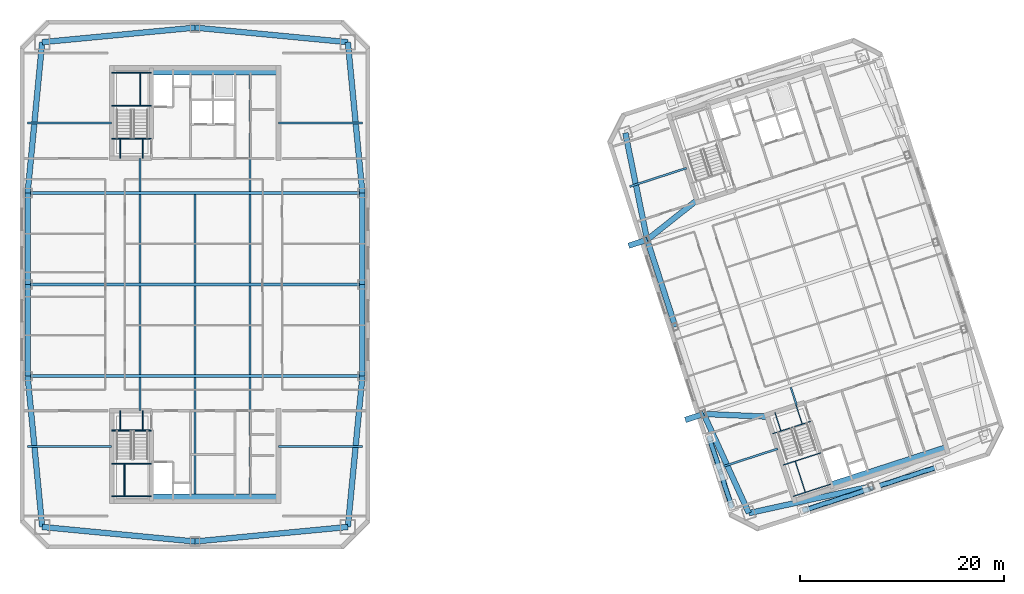
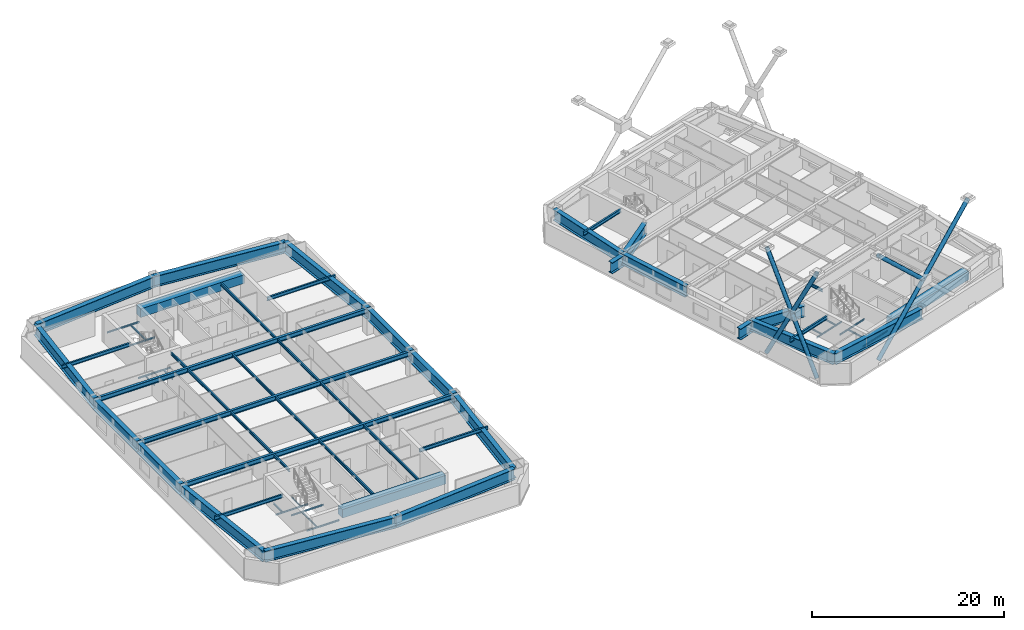
# One storey, part 3 of 15: 62 beams, 7 members.
"""IFC4 building model written with IfcOpenShell, lengths in metres."""

from ifc_helpers import new_model, si_unit, direction, frame, origin, origin_2d, place, context, subcontext, project, spatial, rectangle, hollow_circle, i_section, extrude, material, material_profile, profile_set, type_object, element, save


model = new_model("IFC4")

# Units and contexts
model_context = context("Model", 3, precision=1e-05, world=origin(), true_north=direction((0.0, 1.0)))
body_context = subcontext(model_context, "Body", "Model", "MODEL_VIEW")
ifc_project = project(units=[si_unit("LENGTHUNIT", "METRE"), si_unit("AREAUNIT", "SQUARE_METRE"), si_unit("VOLUMEUNIT", "CUBIC_METRE"), si_unit("PLANEANGLEUNIT", "RADIAN"), si_unit("MASSUNIT", "GRAM", prefix="KILO")], contexts=[model_context])

# Site, building, storey
site_placement = place(None, origin())
site = spatial("IfcSite", under=ifc_project, at=site_placement, CompositionType="ELEMENT")
building_placement = place(site_placement, origin())
building = spatial("IfcBuilding", under=site, at=building_placement, Name="Qiaolan Cultural Towers", CompositionType="ELEMENT")
storey_placement = place(building_placement, frame((0.0, 0.0, 212.75)))
storey = spatial("IfcBuildingStorey", under=building, at=storey_placement, Name="L57", CompositionType="ELEMENT", Elevation=212.75)

# Beams
ifc_material_1 = material(Name="Steel Q420GJB", Category="steel")
ifc_material_profile_1 = material_profile(ifc_material_1, i_section(OverallWidth=0.550048828125, OverallDepth=1.39990234375, WebThickness=0.031982421875, FlangeThickness=0.050048828125, at=origin_2d()), Name="BH1400x550x32x50")
ifc_profile_set_1 = profile_set([ifc_material_profile_1], Name="Steel Q420GJB")
beam_type_1 = type_object("IfcBeamType", Name="BM-BH1400x550x32x50", PredefinedType="BEAM", material=ifc_profile_set_1)
for number, where, z_axis, x_axis, name in (
    (1, (14.97998046875, 10.179931640625, 2.469970703125), (0.995498889995, -0.094773203061, 0.0), (0.094773203061, 0.995498889995, 0.0), "L57 T1 Perimeter Spandrel Beam 1"),
    (2, (30.0, 8.75, 2.469970703125), (0.995498889995, 0.094773203061, 0.0), (-0.094773203061, 0.995498889995, 0.0), "L57 T1 Perimeter Spandrel Beam 2"),
):
    element("IfcBeam", number, at=place(storey_placement, frame(where, z_axis=z_axis, x_axis=x_axis)), inside=storey, type_object=beam_type_1, Name=name, PredefinedType="BEAM", context=body_context, shape_type="SweptSolid", body=[
        extrude(i_section(OverallWidth=0.550048828125, OverallDepth=1.39990234375, WebThickness=0.031982421875, FlangeThickness=0.050048828125, at=origin_2d()), origin(), (0.0, 0.0, 1.0), 15.087890625),
    ])
beam_1_placement = place(storey_placement, frame((45.02001953125, 10.179931640625, 2.469970703125), z_axis=(0.096040159186, 0.995377459974, 0.0), x_axis=(-0.995377459974, 0.096040159186, 0.0)))
element("IfcBeam", 3, at=beam_1_placement, inside=storey, type_object=beam_type_1, Name="L57 T1 Perimeter Spandrel Beam 3", PredefinedType="BEAM", context=body_context, shape_type="SweptSolid", body=[
    extrude(i_section(OverallWidth=0.550048828125, OverallDepth=1.39990234375, WebThickness=0.031982421875, FlangeThickness=0.050048828125, at=origin_2d()), origin(), (0.0, 0.0, 1.0), 14.888916015625),
])
for number, where, z_axis, x_axis, name in (
    (4, (46.449951171875, 25.0, 2.469970703125), (0.0, 1.0, 0.0), (-1.0, 0.0, 0.0), "L57 T1 Perimeter Spandrel Beam 4"),
    (5, (46.449951171875, 34.0, 2.469970703125), (0.0, 1.0, 0.0), (-1.0, 0.0, 0.0), "L57 T1 Perimeter Spandrel Beam 5"),
):
    element("IfcBeam", number, at=place(storey_placement, frame(where, z_axis=z_axis, x_axis=x_axis)), inside=storey, type_object=beam_type_1, Name=name, PredefinedType="BEAM", context=body_context, shape_type="SweptSolid", body=[
        extrude(i_section(OverallWidth=0.550048828125, OverallDepth=1.39990234375, WebThickness=0.031982421875, FlangeThickness=0.050048828125, at=origin_2d()), origin(), (0.0, 0.0, 1.0), 9.0),
    ])
beam_2_placement = place(storey_placement, frame((46.449951171875, 43.0, 2.469970703125), z_axis=(-0.096040159186, 0.995377459974, 0.0), x_axis=(-0.995377459974, -0.096040159186, 0.0)))
element("IfcBeam", 6, at=beam_2_placement, inside=storey, type_object=beam_type_1, Name="L57 T1 Perimeter Spandrel Beam 6", PredefinedType="BEAM", context=body_context, shape_type="SweptSolid", body=[
    extrude(i_section(OverallWidth=0.550048828125, OverallDepth=1.39990234375, WebThickness=0.031982421875, FlangeThickness=0.050048828125, at=origin_2d()), origin(), (0.0, 0.0, 1.0), 14.888916015625),
])
for number, where, z_axis, x_axis, name in (
    (7, (45.02001953125, 57.820068359375, 2.469970703125), (-0.995498889995, 0.094773203061, 0.0), (-0.094773203061, -0.995498889995, 0.0), "L57 T1 Perimeter Spandrel Beam 7"),
    (8, (30.0, 59.25, 2.469970703125), (-0.995498889995, -0.094773203061, 0.0), (0.094773203061, -0.995498889995, 0.0), "L57 T1 Perimeter Spandrel Beam 8"),
):
    element("IfcBeam", number, at=place(storey_placement, frame(where, z_axis=z_axis, x_axis=x_axis)), inside=storey, type_object=beam_type_1, Name=name, PredefinedType="BEAM", context=body_context, shape_type="SweptSolid", body=[
        extrude(i_section(OverallWidth=0.550048828125, OverallDepth=1.39990234375, WebThickness=0.031982421875, FlangeThickness=0.050048828125, at=origin_2d()), origin(), (0.0, 0.0, 1.0), 15.087890625),
    ])
beam_3_placement = place(storey_placement, frame((14.97998046875, 57.820068359375, 2.469970703125), z_axis=(-0.096040159186, -0.995377459974, 0.0), x_axis=(0.995377459974, -0.096040159186, 0.0)))
element("IfcBeam", 9, at=beam_3_placement, inside=storey, type_object=beam_type_1, Name="L57 T1 Perimeter Spandrel Beam 9", PredefinedType="BEAM", context=body_context, shape_type="SweptSolid", body=[
    extrude(i_section(OverallWidth=0.550048828125, OverallDepth=1.39990234375, WebThickness=0.031982421875, FlangeThickness=0.050048828125, at=origin_2d()), origin(), (0.0, 0.0, 1.0), 14.888916015625),
])
for number, where, z_axis, x_axis, name in (
    (10, (13.550048828125, 43.0, 2.469970703125), (0.0, -1.0, 0.0), (1.0, 0.0, 0.0), "L57 T1 Perimeter Spandrel Beam 10"),
    (11, (13.550048828125, 34.0, 2.469970703125), (0.0, -1.0, 0.0), (1.0, 0.0, 0.0), "L57 T1 Perimeter Spandrel Beam 11"),
):
    element("IfcBeam", number, at=place(storey_placement, frame(where, z_axis=z_axis, x_axis=x_axis)), inside=storey, type_object=beam_type_1, Name=name, PredefinedType="BEAM", context=body_context, shape_type="SweptSolid", body=[
        extrude(i_section(OverallWidth=0.550048828125, OverallDepth=1.39990234375, WebThickness=0.031982421875, FlangeThickness=0.050048828125, at=origin_2d()), origin(), (0.0, 0.0, 1.0), 9.0),
    ])
beam_4_placement = place(storey_placement, frame((13.550048828125, 25.0, 2.469970703125), z_axis=(0.096040159186, -0.995377459974, 0.0), x_axis=(0.995377459974, 0.096040159186, 0.0)))
element("IfcBeam", 12, at=beam_4_placement, inside=storey, type_object=beam_type_1, Name="L57 T1 Perimeter Spandrel Beam 12", PredefinedType="BEAM", context=body_context, shape_type="SweptSolid", body=[
    extrude(i_section(OverallWidth=0.550048828125, OverallDepth=1.39990234375, WebThickness=0.031982421875, FlangeThickness=0.050048828125, at=origin_2d()), origin(), (0.0, 0.0, 1.0), 14.888916015625),
])
beam_5_placement = place(storey_placement, frame((84.42822265625, 11.538818359375, 2.469970703125), z_axis=(0.976843395078, 0.213955559619, 0.0), x_axis=(-0.213955559619, 0.976843395078, 0.0)))
element("IfcBeam", 13, at=beam_5_placement, inside=storey, type_object=beam_type_1, Name="L57 T2 Perimeter Spandrel Beam 1", PredefinedType="BEAM", context=body_context, shape_type="SweptSolid", body=[
    extrude(i_section(OverallWidth=0.550048828125, OverallDepth=1.39990234375, WebThickness=0.031982421875, FlangeThickness=0.050048828125, at=origin_2d()), origin(), (0.0, 0.0, 1.0), 12.2998046875),
])
beam_6_placement = place(storey_placement, frame((72.2900390625, 48.896484375, 2.469970703125), z_axis=(0.199578538116, -0.979881833245, 0.0), x_axis=(0.979881833245, 0.199578538116, 0.0)))
element("IfcBeam", 14, at=beam_6_placement, inside=storey, type_object=beam_type_1, Name="L57 T2 Perimeter Spandrel Beam 9", PredefinedType="BEAM", context=body_context, shape_type="SweptSolid", body=[
    extrude(i_section(OverallWidth=0.550048828125, OverallDepth=1.39990234375, WebThickness=0.031982421875, FlangeThickness=0.050048828125, at=origin_2d()), origin(), (0.0, 0.0, 1.0), 10.70849609375),
])
beam_7_placement = place(storey_placement, frame((74.42724609375, 38.4033203125, 2.469970703125), z_axis=(0.309000197986, -0.951061973609, 0.0), x_axis=(0.951061973609, 0.309000197986, 0.0)))
element("IfcBeam", 15, at=beam_7_placement, inside=storey, type_object=beam_type_1, Name="L57 T2 Perimeter Spandrel Beam 10", PredefinedType="BEAM", context=body_context, shape_type="SweptSolid", body=[
    extrude(i_section(OverallWidth=0.550048828125, OverallDepth=1.39990234375, WebThickness=0.031982421875, FlangeThickness=0.050048828125, at=origin_2d()), origin(), (0.0, 0.0, 1.0), 9.0),
])
beam_8_placement = place(storey_placement, frame((79.989501953125, 21.2841796875, 2.469970703125), z_axis=(0.414500208282, -0.910049216985, 0.0), x_axis=(0.910049216985, 0.414500208282, 0.0)))
element("IfcBeam", 16, at=beam_8_placement, inside=storey, type_object=beam_type_1, Name="L57 T2 Perimeter Spandrel Beam 12", PredefinedType="BEAM", context=body_context, shape_type="SweptSolid", body=[
    extrude(i_section(OverallWidth=0.550048828125, OverallDepth=1.39990234375, WebThickness=0.031982421875, FlangeThickness=0.050048828125, at=origin_2d()), origin(), (0.0, 0.0, 1.0), 10.70849609375),
])
beam_9_placement = place(storey_placement, frame((86.280517578125, 21.01513671875, 2.219970703125), z_axis=(-0.99908677763, 0.0427271666, 0.0), x_axis=(-0.0427271666, -0.99908677763, 0.0)))
element("IfcBeam", 17, at=beam_9_placement, inside=storey, type_object=beam_type_1, Name="L57 East Tower Sky Park Corbel Back-Span S", PredefinedType="BEAM", context=body_context, shape_type="SweptSolid", body=[
    extrude(i_section(OverallWidth=0.550048828125, OverallDepth=1.39990234375, WebThickness=0.031982421875, FlangeThickness=0.050048828125, at=origin_2d()), origin(), (0.0, 0.0, 1.0), 6.296875),
])
beam_10_placement = place(storey_placement, frame((79.989501953125, 21.2841796875, 2.219970703125), z_axis=(-0.951058615481, -0.309010533671, 0.0), x_axis=(0.309010533671, -0.951058615481, 0.0)))
element("IfcBeam", 18, at=beam_10_placement, inside=storey, type_object=beam_type_1, Name="L57 East Tower Sky Park Bridge Seat Corbel S (1900 mm Seat)", PredefinedType="BEAM", context=body_context, shape_type="SweptSolid", body=[
    extrude(i_section(OverallWidth=0.550048828125, OverallDepth=1.39990234375, WebThickness=0.031982421875, FlangeThickness=0.050048828125, at=origin_2d()), origin(), (0.0, 0.0, 1.0), 1.900146484375),
])
beam_11_placement = place(storey_placement, frame((79.358642578125, 42.31884765625, 2.219970703125), z_axis=(-0.783155829209, -0.62182549576, 0.0), x_axis=(0.62182549576, -0.783155829209, 0.0)))
element("IfcBeam", 19, at=beam_11_placement, inside=storey, type_object=beam_type_1, Name="L57 East Tower Sky Park Corbel Back-Span N", PredefinedType="BEAM", context=body_context, shape_type="SweptSolid", body=[
    extrude(i_section(OverallWidth=0.550048828125, OverallDepth=1.39990234375, WebThickness=0.031982421875, FlangeThickness=0.050048828125, at=origin_2d()), origin(), (0.0, 0.0, 1.0), 6.296875),
])
beam_12_placement = place(storey_placement, frame((74.42724609375, 38.4033203125, 2.219970703125), z_axis=(-0.951058615481, -0.309010533671, 0.0), x_axis=(0.309010533671, -0.951058615481, 0.0)))
element("IfcBeam", 20, at=beam_12_placement, inside=storey, type_object=beam_type_1, Name="L57 East Tower Sky Park Bridge Seat Corbel N (1900 mm Seat)", PredefinedType="BEAM", context=body_context, shape_type="SweptSolid", body=[
    extrude(i_section(OverallWidth=0.550048828125, OverallDepth=1.39990234375, WebThickness=0.031982421875, FlangeThickness=0.050048828125, at=origin_2d()), origin(), (0.0, 0.0, 1.0), 1.900146484375),
])
ifc_material_2 = material(Name="Steel Q355B", Category="steel")
ifc_material_profile_2 = material_profile(ifc_material_2, i_section(OverallWidth=0.300048828125, OverallDepth=0.587890625, WebThickness=0.011962890625, FlangeThickness=0.02001953125, at=origin_2d()), Name="HM588x300x12x20")
ifc_profile_set_2 = profile_set([ifc_material_profile_2], Name="Steel Q355B")
beam_type_2 = type_object("IfcBeamType", Name="BM-HM588x300x12x20", PredefinedType="BEAM", material=ifc_profile_set_2)
for number, where, z_axis, x_axis, name in (
    (21, (13.550048828125, 25.0, 2.8759765625), (1.0, 0.0, 0.0), (0.0, 1.0, 0.0), "L57 T1 Primary Transverse Girder V1"),
    (22, (13.550048828125, 34.0, 2.8759765625), (1.0, 0.0, 0.0), (0.0, 1.0, 0.0), "L57 T1 Primary Transverse Girder V2"),
    (23, (13.550048828125, 43.0, 2.8759765625), (1.0, 0.0, 0.0), (0.0, 1.0, 0.0), "L57 T1 Primary Transverse Girder V3"),
):
    element("IfcBeam", number, at=place(storey_placement, frame(where, z_axis=z_axis, x_axis=x_axis)), inside=storey, type_object=beam_type_2, Name=name, PredefinedType="BEAM", context=body_context, shape_type="SweptSolid", body=[
        extrude(i_section(OverallWidth=0.300048828125, OverallDepth=0.587890625, WebThickness=0.011962890625, FlangeThickness=0.02001953125, at=origin_2d()), origin(), (0.0, 0.0, 1.0), 32.89990234375),
    ])
ifc_material_3 = material(Name="Steel Q355B", Category="steel")
ifc_material_profile_3 = material_profile(ifc_material_3, i_section(OverallWidth=0.175048828125, OverallDepth=0.35009765625, WebThickness=0.007080078125, FlangeThickness=0.010986328125, at=origin_2d()), Name="HN350x175x7x11")
ifc_profile_set_3 = profile_set([ifc_material_profile_3], Name="Steel Q355B")
beam_type_3 = type_object("IfcBeamType", Name="BM-JST-HN350x175x7x11", PredefinedType="JOIST", material=ifc_profile_set_3)
beam_13_placement = place(storey_placement, frame((24.60009765625, 21.60009765625, 2.9951171875), z_axis=(0.0, 1.0, 0.0), x_axis=(-1.0, 0.0, 0.0)))
element("IfcBeam", 24, at=beam_13_placement, inside=storey, type_object=beam_type_3, Name="L57 T1 Secondary Floor Joist U1-1", PredefinedType="JOIST", context=body_context, shape_type="SweptSolid", body=[
    extrude(i_section(OverallWidth=0.175048828125, OverallDepth=0.35009765625, WebThickness=0.007080078125, FlangeThickness=0.010986328125, at=origin_2d()), origin(), (0.0, 0.0, 1.0), 3.25),
])
for number, where, z_axis, x_axis, name in (
    (25, (24.60009765625, 25.14990234375, 2.9951171875), (0.0, 1.0, 0.0), (-1.0, 0.0, 0.0), "L57 T1 Secondary Floor Joist U1-2"),
    (26, (24.60009765625, 34.14990234375, 2.9951171875), (0.0, 1.0, 0.0), (-1.0, 0.0, 0.0), "L57 T1 Secondary Floor Joist U1-3"),
):
    element("IfcBeam", number, at=place(storey_placement, frame(where, z_axis=z_axis, x_axis=x_axis)), inside=storey, type_object=beam_type_3, Name=name, PredefinedType="JOIST", context=body_context, shape_type="SweptSolid", body=[
        extrude(i_section(OverallWidth=0.175048828125, OverallDepth=0.35009765625, WebThickness=0.007080078125, FlangeThickness=0.010986328125, at=origin_2d()), origin(), (0.0, 0.0, 1.0), 8.7001953125),
    ])
beam_14_placement = place(storey_placement, frame((24.60009765625, 43.14990234375, 2.9951171875), z_axis=(0.0, 1.0, 0.0), x_axis=(-1.0, 0.0, 0.0)))
element("IfcBeam", 27, at=beam_14_placement, inside=storey, type_object=beam_type_3, Name="L57 T1 Secondary Floor Joist U1-4", PredefinedType="JOIST", context=body_context, shape_type="SweptSolid", body=[
    extrude(i_section(OverallWidth=0.175048828125, OverallDepth=0.35009765625, WebThickness=0.007080078125, FlangeThickness=0.010986328125, at=origin_2d()), origin(), (0.0, 0.0, 1.0), 3.25),
])
beam_15_placement = place(storey_placement, frame((30.0, 13.39990234375, 2.9951171875), z_axis=(0.0, 1.0, 0.0), x_axis=(-1.0, 0.0, 0.0)))
element("IfcBeam", 28, at=beam_15_placement, inside=storey, type_object=beam_type_3, Name="L57 T1 Secondary Floor Joist U2-1", PredefinedType="JOIST", context=body_context, shape_type="SweptSolid", body=[
    extrude(i_section(OverallWidth=0.175048828125, OverallDepth=0.35009765625, WebThickness=0.007080078125, FlangeThickness=0.010986328125, at=origin_2d()), origin(), (0.0, 0.0, 1.0), 11.4501953125),
])
for number, where, z_axis, x_axis, name in (
    (29, (30.0, 25.14990234375, 2.9951171875), (0.0, 1.0, 0.0), (-1.0, 0.0, 0.0), "L57 T1 Secondary Floor Joist U2-2"),
    (30, (30.0, 34.14990234375, 2.9951171875), (0.0, 1.0, 0.0), (-1.0, 0.0, 0.0), "L57 T1 Secondary Floor Joist U2-3"),
):
    element("IfcBeam", number, at=place(storey_placement, frame(where, z_axis=z_axis, x_axis=x_axis)), inside=storey, type_object=beam_type_3, Name=name, PredefinedType="JOIST", context=body_context, shape_type="SweptSolid", body=[
        extrude(i_section(OverallWidth=0.175048828125, OverallDepth=0.35009765625, WebThickness=0.007080078125, FlangeThickness=0.010986328125, at=origin_2d()), origin(), (0.0, 0.0, 1.0), 8.7001953125),
    ])
beam_16_placement = place(storey_placement, frame((35.39990234375, 13.39990234375, 2.9951171875), z_axis=(0.0, 1.0, 0.0), x_axis=(-1.0, 0.0, 0.0)))
element("IfcBeam", 31, at=beam_16_placement, inside=storey, type_object=beam_type_3, Name="L57 T1 Secondary Floor Joist U3-1", PredefinedType="JOIST", context=body_context, shape_type="SweptSolid", body=[
    extrude(i_section(OverallWidth=0.175048828125, OverallDepth=0.35009765625, WebThickness=0.007080078125, FlangeThickness=0.010986328125, at=origin_2d()), origin(), (0.0, 0.0, 1.0), 11.4501953125),
])
for number, where, z_axis, x_axis, name in (
    (32, (35.39990234375, 25.14990234375, 2.9951171875), (0.0, 1.0, 0.0), (-1.0, 0.0, 0.0), "L57 T1 Secondary Floor Joist U3-2"),
    (33, (35.39990234375, 34.14990234375, 2.9951171875), (0.0, 1.0, 0.0), (-1.0, 0.0, 0.0), "L57 T1 Secondary Floor Joist U3-3"),
):
    element("IfcBeam", number, at=place(storey_placement, frame(where, z_axis=z_axis, x_axis=x_axis)), inside=storey, type_object=beam_type_3, Name=name, PredefinedType="JOIST", context=body_context, shape_type="SweptSolid", body=[
        extrude(i_section(OverallWidth=0.175048828125, OverallDepth=0.35009765625, WebThickness=0.007080078125, FlangeThickness=0.010986328125, at=origin_2d()), origin(), (0.0, 0.0, 1.0), 8.7001953125),
    ])
beam_17_placement = place(storey_placement, frame((35.39990234375, 43.14990234375, 2.9951171875), z_axis=(0.0, 1.0, 0.0), x_axis=(-1.0, 0.0, 0.0)))
element("IfcBeam", 34, at=beam_17_placement, inside=storey, type_object=beam_type_3, Name="L57 T1 Secondary Floor Joist U3-4", PredefinedType="JOIST", context=body_context, shape_type="SweptSolid", body=[
    extrude(i_section(OverallWidth=0.175048828125, OverallDepth=0.35009765625, WebThickness=0.007080078125, FlangeThickness=0.010986328125, at=origin_2d()), origin(), (0.0, 0.0, 1.0), 11.4501953125),
])
beam_18_placement = place(storey_placement, frame((89.119384765625, 22.147705078125, 2.9951171875), z_axis=(-0.308933885266, 0.951083516067, 0.0), x_axis=(-0.951083516067, -0.308933885266, 0.0)))
element("IfcBeam", 35, at=beam_18_placement, inside=storey, type_object=beam_type_3, Name="L57 T2 Secondary Floor Joist U1-1", PredefinedType="JOIST", context=body_context, shape_type="SweptSolid", body=[
    extrude(i_section(OverallWidth=0.175048828125, OverallDepth=0.35009765625, WebThickness=0.007080078125, FlangeThickness=0.010986328125, at=origin_2d()), origin(), (0.0, 0.0, 1.0), 1.85009765625),
])
ifc_material_4 = material(Name="Steel Q355B", Category="steel")
ifc_material_profile_4 = material_profile(ifc_material_4, i_section(OverallWidth=0.199951171875, OverallDepth=0.449951171875, WebThickness=0.009033203125, FlangeThickness=0.013916015625, at=origin_2d()), Name="HN450x200x9x14")
ifc_profile_set_4 = profile_set([ifc_material_profile_4], Name="Steel Q355B")
beam_type_4 = type_object("IfcBeamType", Name="BM-LNT-HN450x200x9x14", PredefinedType="LINTEL", material=ifc_profile_set_4)
for number, where, z_axis, x_axis, name in (
    (36, (21.800048828125, 18.10009765625, 2.945068359375), (-1.0, 0.0, 0.0), (0.0, -1.0, 0.0), "L57 T1 Core Flank Tie Lintel WS"),
    (37, (21.800048828125, 49.89990234375, 2.945068359375), (-1.0, 0.0, 0.0), (0.0, -1.0, 0.0), "L57 T1 Core Flank Tie Lintel WN"),
    (38, (38.199951171875, 18.10009765625, 2.945068359375), (1.0, 0.0, 0.0), (0.0, 1.0, 0.0), "L57 T1 Core Flank Tie Lintel ES"),
    (39, (38.199951171875, 49.89990234375, 2.945068359375), (1.0, 0.0, 0.0), (0.0, 1.0, 0.0), "L57 T1 Core Flank Tie Lintel EN"),
):
    element("IfcBeam", number, at=place(storey_placement, frame(where, z_axis=z_axis, x_axis=x_axis)), inside=storey, type_object=beam_type_4, Name=name, PredefinedType="LINTEL", context=body_context, shape_type="SweptSolid", body=[
        extrude(i_section(OverallWidth=0.199951171875, OverallDepth=0.449951171875, WebThickness=0.009033203125, FlangeThickness=0.013916015625, at=origin_2d()), origin(), (0.0, 0.0, 1.0), 8.25),
    ])
for number, where, z_axis, x_axis, name in (
    (40, (87.252685546875, 17.861083984375, 2.945068359375), (-0.951063813276, -0.308994535675, 0.0), (0.308994535675, -0.951063813276, 0.0), "L57 T2 Core Flank Tie Lintel WS"),
    (41, (78.291259765625, 45.44189453125, 2.945068359375), (-0.951051548326, -0.309032283793, 0.0), (0.309032283793, -0.951051548326, 0.0), "L57 T2 Core Flank Tie Lintel WN"),
):
    element("IfcBeam", number, at=place(storey_placement, frame(where, z_axis=z_axis, x_axis=x_axis)), inside=storey, type_object=beam_type_4, Name=name, PredefinedType="LINTEL", context=body_context, shape_type="SweptSolid", body=[
        extrude(i_section(OverallWidth=0.199951171875, OverallDepth=0.449951171875, WebThickness=0.009033203125, FlangeThickness=0.013916015625, at=origin_2d()), origin(), (0.0, 0.0, 1.0), 5.85009765625),
    ])
ifc_material_5 = material(Name="Concrete C50", Category="concrete")
ifc_material_profile_5 = material_profile(ifc_material_5, rectangle(XDim=0.89990234375, YDim=1.10009765625, at=origin_2d()), Name="RC900x1100")
ifc_profile_set_5 = profile_set([ifc_material_profile_5], Name="Concrete C50")
beam_type_5 = type_object("IfcBeamType", Name="BM-RC900x1100", PredefinedType="BEAM", material=ifc_profile_set_5)
for number, where, z_axis, x_axis, name in (
    (42, (25.719970703125, 12.949951171875, 2.6201171875), (1.0, 0.0, 0.0), (0.0, 1.0, 0.0), "L57 T1 Core Header Girder S"),
    (43, (25.719970703125, 55.050048828125, 2.6201171875), (1.0, 0.0, 0.0), (0.0, 1.0, 0.0), "L57 T1 Core Header Girder N"),
):
    element("IfcBeam", number, at=place(storey_placement, frame(where, z_axis=z_axis, x_axis=x_axis)), inside=storey, type_object=beam_type_5, Name=name, PredefinedType="BEAM", context=body_context, shape_type="SweptSolid", body=[
        extrude(rectangle(XDim=0.89990234375, YDim=1.10009765625, at=origin_2d()), origin(), (0.0, 0.0, 1.0), 12.47998046875),
    ])
beam_19_placement = place(storey_placement, frame((92.572265625, 14.174560546875, 2.6201171875), z_axis=(0.951056266386, 0.309017763514, 0.0), x_axis=(-0.309017763514, 0.951056266386, 0.0)))
element("IfcBeam", 44, at=beam_19_placement, inside=storey, type_object=beam_type_5, Name="L57 T2 Core Header Girder S", PredefinedType="BEAM", context=body_context, shape_type="SweptSolid", body=[
    extrude(rectangle(XDim=0.89990234375, YDim=1.10009765625, at=origin_2d()), origin(), (0.0, 0.0, 1.0), 11.880126953125),
])
ifc_material_6 = material(Name="Steel Q355B", Category="steel")
ifc_material_profile_6 = material_profile(ifc_material_6, i_section(OverallWidth=0.10009765625, OverallDepth=0.199951171875, WebThickness=0.005615234375, FlangeThickness=0.008056640625, at=origin_2d()), Name="HN200x100x5.5x8")
ifc_profile_set_6 = profile_set([ifc_material_profile_6], Name="Steel Q355B")
beam_type_6 = type_object("IfcBeamType", Name="BM-STTRIM-200", PredefinedType="BEAM", material=ifc_profile_set_6)
beam_20_placement = place(storey_placement, frame((21.800048828125, 19.659912109375, -0.4599609375), z_axis=(1.0, 0.0, 0.0), x_axis=(0.0, 1.0, 0.0)))
element("IfcBeam", 45, at=beam_20_placement, inside=storey, type_object=beam_type_6, Name="L57 ST-W1 Floor Landing Header Beam", PredefinedType="BEAM", context=body_context, shape_type="SweptSolid", body=[
    extrude(i_section(OverallWidth=0.10009765625, OverallDepth=0.199951171875, WebThickness=0.005615234375, FlangeThickness=0.008056640625, at=origin_2d()), origin(), (0.0, 0.0, 1.0), 3.919921875),
])
for number, where, z_axis, x_axis, name in (
    (46, (22.64990234375, 21.60009765625, -0.4599609375), (0.0, -1.0, 0.0), (1.0, 0.0, 0.0), "L57 ST-W1 Floor Landing Stringer 1"),
    (47, (24.85009765625, 21.60009765625, -0.4599609375), (0.0, -1.0, 0.0), (1.0, 0.0, 0.0), "L57 ST-W1 Floor Landing Stringer 2"),
):
    element("IfcBeam", number, at=place(storey_placement, frame(where, z_axis=z_axis, x_axis=x_axis)), inside=storey, type_object=beam_type_6, Name=name, PredefinedType="BEAM", context=body_context, shape_type="SweptSolid", body=[
        extrude(i_section(OverallWidth=0.10009765625, OverallDepth=0.199951171875, WebThickness=0.005615234375, FlangeThickness=0.008056640625, at=origin_2d()), origin(), (0.0, 0.0, 1.0), 1.940185546875),
    ])
for number, where, z_axis, x_axis, name in (
    (48, (21.800048828125, 16.411376953125, 1.425048828125), (1.0, 0.0, 0.0), (0.0, 1.0, 0.0), "L57 ST-W1 Stair Landing Support Beam 1-1"),
    (49, (21.800048828125, 13.179931640625, 1.425048828125), (1.0, 0.0, 0.0), (0.0, 1.0, 0.0), "L57 ST-W1 Stair Landing Support Beam 1-2"),
):
    element("IfcBeam", number, at=place(storey_placement, frame(where, z_axis=z_axis, x_axis=x_axis)), inside=storey, type_object=beam_type_6, Name=name, PredefinedType="BEAM", context=body_context, shape_type="SweptSolid", body=[
        extrude(i_section(OverallWidth=0.10009765625, OverallDepth=0.199951171875, WebThickness=0.005615234375, FlangeThickness=0.008056640625, at=origin_2d()), origin(), (0.0, 0.0, 1.0), 3.919921875),
    ])
beam_21_placement = place(storey_placement, frame((23.070068359375, 16.411376953125, 1.425048828125), z_axis=(0.0, -1.0, 0.0), x_axis=(1.0, 0.0, 0.0)))
element("IfcBeam", 50, at=beam_21_placement, inside=storey, type_object=beam_type_6, Name="L57 ST-W1 Stair Landing Trimmer 1", PredefinedType="BEAM", context=body_context, shape_type="SweptSolid", body=[
    extrude(i_section(OverallWidth=0.10009765625, OverallDepth=0.199951171875, WebThickness=0.005615234375, FlangeThickness=0.008056640625, at=origin_2d()), origin(), (0.0, 0.0, 1.0), 3.2314453125),
])
beam_22_placement = place(storey_placement, frame((21.800048828125, 48.340087890625, -0.4599609375), z_axis=(1.0, 0.0, 0.0), x_axis=(0.0, 1.0, 0.0)))
element("IfcBeam", 51, at=beam_22_placement, inside=storey, type_object=beam_type_6, Name="L57 ST-W2 Floor Landing Header Beam", PredefinedType="BEAM", context=body_context, shape_type="SweptSolid", body=[
    extrude(i_section(OverallWidth=0.10009765625, OverallDepth=0.199951171875, WebThickness=0.005615234375, FlangeThickness=0.008056640625, at=origin_2d()), origin(), (0.0, 0.0, 1.0), 3.919921875),
])
for number, where, z_axis, x_axis, name in (
    (52, (22.64990234375, 46.39990234375, -0.4599609375), (0.0, 1.0, 0.0), (-1.0, 0.0, 0.0), "L57 ST-W2 Floor Landing Stringer 1"),
    (53, (24.85009765625, 46.39990234375, -0.4599609375), (0.0, 1.0, 0.0), (-1.0, 0.0, 0.0), "L57 ST-W2 Floor Landing Stringer 2"),
):
    element("IfcBeam", number, at=place(storey_placement, frame(where, z_axis=z_axis, x_axis=x_axis)), inside=storey, type_object=beam_type_6, Name=name, PredefinedType="BEAM", context=body_context, shape_type="SweptSolid", body=[
        extrude(i_section(OverallWidth=0.10009765625, OverallDepth=0.199951171875, WebThickness=0.005615234375, FlangeThickness=0.008056640625, at=origin_2d()), origin(), (0.0, 0.0, 1.0), 1.940185546875),
    ])
for number, where, z_axis, x_axis, name in (
    (54, (21.800048828125, 51.588623046875, 1.425048828125), (1.0, 0.0, 0.0), (0.0, 1.0, 0.0), "L57 ST-W2 Stair Landing Support Beam 1-1"),
    (55, (21.800048828125, 54.820068359375, 1.425048828125), (1.0, 0.0, 0.0), (0.0, 1.0, 0.0), "L57 ST-W2 Stair Landing Support Beam 1-2"),
):
    element("IfcBeam", number, at=place(storey_placement, frame(where, z_axis=z_axis, x_axis=x_axis)), inside=storey, type_object=beam_type_6, Name=name, PredefinedType="BEAM", context=body_context, shape_type="SweptSolid", body=[
        extrude(i_section(OverallWidth=0.10009765625, OverallDepth=0.199951171875, WebThickness=0.005615234375, FlangeThickness=0.008056640625, at=origin_2d()), origin(), (0.0, 0.0, 1.0), 3.919921875),
    ])
beam_23_placement = place(storey_placement, frame((24.610107421875, 51.588623046875, 1.425048828125), z_axis=(0.0, 1.0, 0.0), x_axis=(-1.0, 0.0, 0.0)))
element("IfcBeam", 56, at=beam_23_placement, inside=storey, type_object=beam_type_6, Name="L57 ST-W2 Stair Landing Trimmer 1", PredefinedType="BEAM", context=body_context, shape_type="SweptSolid", body=[
    extrude(i_section(OverallWidth=0.10009765625, OverallDepth=0.199951171875, WebThickness=0.005615234375, FlangeThickness=0.008056640625, at=origin_2d()), origin(), (0.0, 0.0, 1.0), 3.2314453125),
])
beam_24_placement = place(storey_placement, frame((86.770751953125, 19.3447265625, -0.4599609375), z_axis=(0.951047798727, 0.309043823005, 0.0), x_axis=(-0.309043823005, 0.951047798727, 0.0)))
element("IfcBeam", 57, at=beam_24_placement, inside=storey, type_object=beam_type_6, Name="L57 ST-E1 Floor Landing Header Beam", PredefinedType="BEAM", context=body_context, shape_type="SweptSolid", body=[
    extrude(i_section(OverallWidth=0.10009765625, OverallDepth=0.199951171875, WebThickness=0.005615234375, FlangeThickness=0.008056640625, at=origin_2d()), origin(), (0.0, 0.0, 1.0), 3.919921875),
])
for number, where, z_axis, x_axis, name in (
    (58, (86.9794921875, 21.452392578125, -0.4599609375), (0.309083226701, -0.951034993558, 0.0), (0.951034993558, 0.309083226701, 0.0), "L57 ST-E1 Floor Landing Stringer 1"),
    (59, (89.07177734375, 22.13232421875, -0.4599609375), (0.309083226701, -0.951034993558, 0.0), (0.951034993558, 0.309083226701, 0.0), "L57 ST-E1 Floor Landing Stringer 2"),
):
    element("IfcBeam", number, at=place(storey_placement, frame(where, z_axis=z_axis, x_axis=x_axis)), inside=storey, type_object=beam_type_6, Name=name, PredefinedType="BEAM", context=body_context, shape_type="SweptSolid", body=[
        extrude(i_section(OverallWidth=0.10009765625, OverallDepth=0.199951171875, WebThickness=0.005615234375, FlangeThickness=0.008056640625, at=origin_2d()), origin(), (0.0, 0.0, 1.0), 1.93994140625),
    ])
for number, where, z_axis, x_axis, name in (
    (60, (87.774658203125, 16.255126953125, 1.425048828125), (0.951047798727, 0.309043823005, 0.0), (-0.309043823005, 0.951047798727, 0.0), "L57 ST-E1 Stair Landing Support Beam 1-1"),
    (61, (88.773193359375, 13.181884765625, 1.425048828125), (0.951047798727, 0.309043823005, 0.0), (-0.309043823005, 0.951047798727, 0.0), "L57 ST-E1 Stair Landing Support Beam 1-2"),
):
    element("IfcBeam", number, at=place(storey_placement, frame(where, z_axis=z_axis, x_axis=x_axis)), inside=storey, type_object=beam_type_6, Name=name, PredefinedType="BEAM", context=body_context, shape_type="SweptSolid", body=[
        extrude(i_section(OverallWidth=0.10009765625, OverallDepth=0.199951171875, WebThickness=0.005615234375, FlangeThickness=0.008056640625, at=origin_2d()), origin(), (0.0, 0.0, 1.0), 3.919921875),
    ])
beam_25_placement = place(storey_placement, frame((88.982421875, 16.6474609375, 1.425048828125), z_axis=(0.309033108495, -0.951051280349, 0.0), x_axis=(0.951051280349, 0.309033108495, 0.0)))
element("IfcBeam", 62, at=beam_25_placement, inside=storey, type_object=beam_type_6, Name="L57 ST-E1 Stair Landing Trimmer 1", PredefinedType="BEAM", context=body_context, shape_type="SweptSolid", body=[
    extrude(i_section(OverallWidth=0.10009765625, OverallDepth=0.199951171875, WebThickness=0.005615234375, FlangeThickness=0.008056640625, at=origin_2d()), origin(), (0.0, 0.0, 1.0), 3.231201171875),
])

# Members
ifc_material_7 = material(Name="Steel Q355B", Category="steel")
ifc_material_profile_7 = material_profile(ifc_material_7, hollow_circle(Radius=0.25, WallThickness=0.02490234375, at=origin_2d()), Name="CHS500x25")
ifc_profile_set_7 = profile_set([ifc_material_profile_7], Name="Steel Q355B")
member_type = type_object("IfcMemberType", Name="MBR-BRC-CHS500x25", PredefinedType="BRACE", material=ifc_profile_set_7)
for number, where, z_axis, x_axis, name in (
    (63, (82.719482421875, 12.23486328125, 0.14990234375), (-0.144310823552, 0.444122866209, 0.884267643825), (-0.951052389726, -0.30902969436, 0.0), "T2 WEST Perimeter Frame Diagonal E-Z4-M2-D1A"),
    (64, (81.630126953125, 15.58740234375, 6.824951171875), (-0.144310823552, 0.444122866209, 0.884267643825), (-0.951052389726, -0.30902969436, 0.0), "T2 WEST Perimeter Frame Diagonal E-Z4-M2-D1B"),
    (65, (80.540771484375, 18.93994140625, 0.14990234375), (0.144310823552, -0.444122866209, 0.884267643825), (0.951052389726, 0.30902969436, 0.0), "T2 WEST Perimeter Frame Diagonal E-Z4-M2-D2A"),
    (66, (81.630126953125, 15.58740234375, 6.824951171875), (0.144310823552, -0.444122866209, 0.884267643825), (0.951052389726, 0.30902969436, 0.0), "T2 WEST Perimeter Frame Diagonal E-Z4-M2-D2B"),
):
    element("IfcMember", number, at=place(storey_placement, frame(where, z_axis=z_axis, x_axis=x_axis)), inside=storey, type_object=member_type, Name=name, PredefinedType="BRACE", context=body_context, shape_type="SweptSolid", body=[
        extrude(hollow_circle(Radius=0.25, WallThickness=0.02490234375, at=origin_2d()), origin(), (0.0, 0.0, 1.0), 7.548583984375),
    ])
member_1_placement = place(storey_placement, frame((89.847412109375, 11.817138671875, 0.14990234375), z_axis=(0.688288969768, 0.223632706448, 0.690106301016), x_axis=(-0.309009574742, 0.951058927048, 0.0)))
element("IfcMember", 67, at=member_1_placement, inside=storey, type_object=member_type, Name="T2 SOUTH Perimeter Frame Diagonal E-Z4-M2-D1A", PredefinedType="BRACE", context=body_context, shape_type="SweptSolid", body=[
    extrude(hollow_circle(Radius=0.25, WallThickness=0.02490234375, at=origin_2d()), origin(), (0.0, 0.0, 1.0), 9.672607421875),
])
member_2_placement = place(storey_placement, frame((96.5048828125, 13.980224609375, 6.824951171875), z_axis=(0.688275686288, 0.223636591628, 0.690118290259), x_axis=(-0.309019824916, 0.951055596592, 0.0)))
element("IfcMember", 68, at=member_2_placement, inside=storey, type_object=member_type, Name="T2 SOUTH Perimeter Frame Diagonal E-Z4-M2-D1B", PredefinedType="BRACE", context=body_context, shape_type="SweptSolid", body=[
    extrude(hollow_circle(Radius=0.25, WallThickness=0.02490234375, at=origin_2d()), origin(), (0.0, 0.0, 1.0), 9.67236328125),
])
member_3_placement = place(storey_placement, frame((96.5048828125, 13.980224609375, 6.824951171875), z_axis=(-0.688288969768, -0.223632706448, 0.690106301016), x_axis=(0.309009574742, -0.951058927048, 0.0)))
element("IfcMember", 69, at=member_3_placement, inside=storey, type_object=member_type, Name="T2 SOUTH Perimeter Frame Diagonal E-Z4-M2-D2B", PredefinedType="BRACE", context=body_context, shape_type="SweptSolid", body=[
    extrude(hollow_circle(Radius=0.25, WallThickness=0.02490234375, at=origin_2d()), origin(), (0.0, 0.0, 1.0), 9.672607421875),
])

save(model, "model.ifc")
